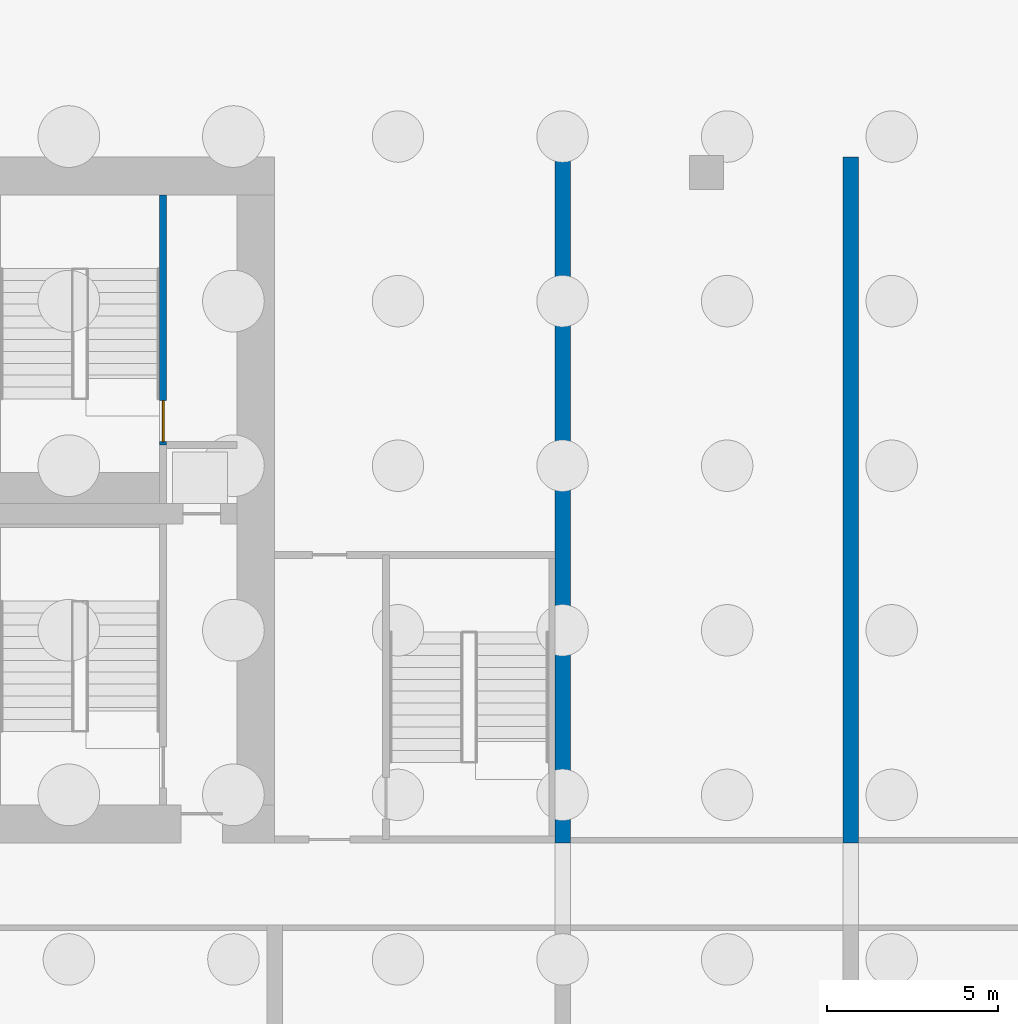
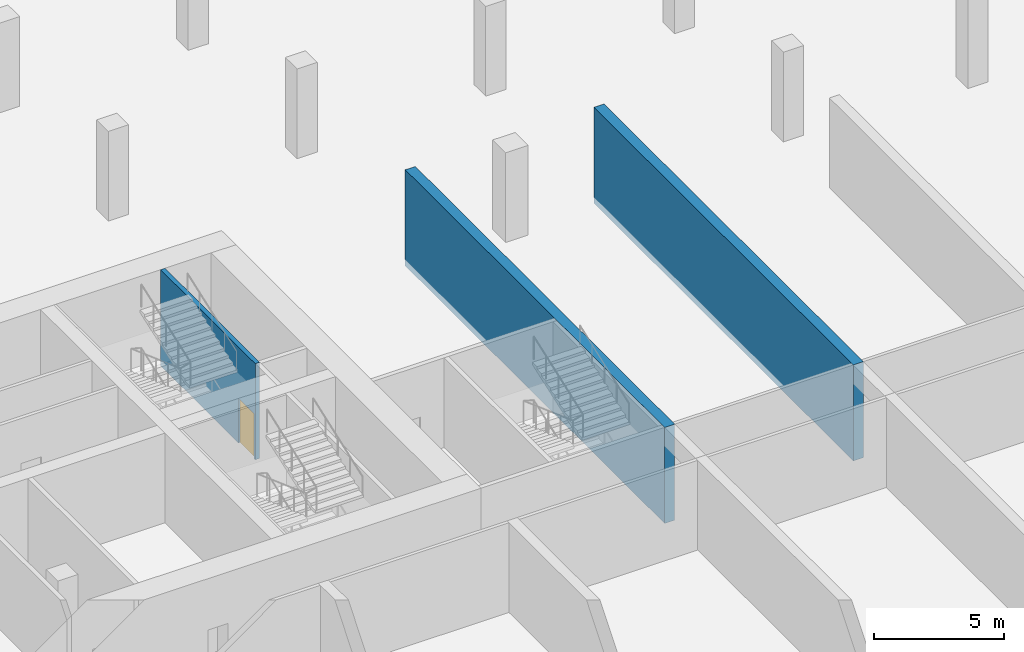
# One storey, part 10 of 17: 3 walls, 1 door, 1 opening.
"""IFC4 building model written with IfcOpenShell, lengths in metres."""

from ifc_helpers import new_model, si_unit, direction, frame, frame_2d, origin, place, context, subcontext, project, spatial, rectangle, extrude, source, transform, mapped, material, layer, layer_set, type_object, element, fill, save


model = new_model("IFC4")

# Units and contexts
model_context = context("Model", 3, precision=1e-05, world=origin(), true_north=direction((0.0, 1.0)))
body_context = subcontext(model_context, "Body", "Model", "MODEL_VIEW")
ifc_project = project(units=[si_unit("LENGTHUNIT", "METRE"), si_unit("AREAUNIT", "SQUARE_METRE"), si_unit("VOLUMEUNIT", "CUBIC_METRE"), si_unit("PLANEANGLEUNIT", "RADIAN"), si_unit("MASSUNIT", "GRAM", prefix="KILO")], contexts=[model_context])

# Site, building, storey
site_placement = place(None, origin())
site = spatial("IfcSite", under=ifc_project, at=site_placement, CompositionType="ELEMENT")
building_placement = place(site_placement, origin())
building = spatial("IfcBuilding", under=site, at=building_placement, Name="Vanashikhar Sky Hotel", CompositionType="ELEMENT")
storey_placement = place(building_placement, frame((0.0, 0.0, -13.5)))
storey = spatial("IfcBuildingStorey", under=building, at=storey_placement, Name="B3", CompositionType="ELEMENT", Elevation=-13.5)

# Walls
ifc_material_1 = material(Name="Concrete M80", Category="concrete")
ifc_layer_1 = layer(ifc_material_1, 0.449951171875)
ifc_layer_set_1 = layer_set([ifc_layer_1], Name="RC shear wall 450 Concrete M80")
wall_type_1 = type_object("IfcWallType", Name="RC shear wall 450 Concrete M80", PredefinedType="SHEAR", material=ifc_layer_set_1)
shared_shape_1 = source(origin(), body_context, "Body", "SweptSolid", [
    extrude(rectangle(XDim=20.0, YDim=0.449951171875, at=frame_2d((10.0, 0.0))), origin(), (0.0, 0.0, 1.0), 4.52001953125),
])
for number, where, z_axis, x_axis, name in (
    (1, (84.0, 22.0, -0.300048828125), (0.0, 0.0, 1.0), (0.0, 1.0, 0.0), "CW-B3-XW11-2"),
    (2, (92.39990234375, 22.0, -0.300048828125), (0.0, 0.0, 1.0), (0.0, 1.0, 0.0), "CW-B3-XW12-2"),
):
    element("IfcWall", number, at=place(storey_placement, frame(where, z_axis=z_axis, x_axis=x_axis)), inside=storey, type_object=wall_type_1, Name=name, PredefinedType="SHEAR", context=body_context, shape_type="MappedRepresentation", body=[
        mapped(shared_shape_1, transform((0.0, 0.0, 0.0), scale=1.0)),
    ])

# Wall, opening, door
ifc_material_2 = material(Name="Concrete M50", Category="concrete")
ifc_layer_2 = layer(ifc_material_2, 0.199951171875)
ifc_layer_set_2 = layer_set([ifc_layer_2], Name="Stair wall 200")
wall_type_2 = type_object("IfcWallType", Name="Stair wall 200", PredefinedType="SOLIDWALL", material=ifc_layer_set_2)
shared_shape_2 = source(origin(), body_context, "Body", "SweptSolid", [
    extrude(rectangle(XDim=7.2998046875, YDim=0.199951171875, at=frame_2d((3.64990234375, 0.0))), origin(), (0.0, 0.0, 1.0), 4.52001953125),
])
wall_placement = place(storey_placement, frame((72.35009765625, 33.60009765625, -0.300048828125), z_axis=(0.0, 0.0, 1.0), x_axis=(0.0, 1.0, 0.0)))
wall = element("IfcWall", 3, at=wall_placement, inside=storey, type_object=wall_type_2, Name="Stair wall 200", PredefinedType="SOLIDWALL", context=body_context, shape_type="MappedRepresentation", body=[
    mapped(shared_shape_2, transform((0.0, 0.0, 0.0), scale=1.0)),
])
shared_shape_3 = source(origin(), body_context, "Body", "SweptSolid", [
    extrude(rectangle(XDim=1.199951171875, YDim=2.10009765625, at=frame_2d((0.60009765625, 1.050048828125))), frame((0.0, 0.10986328125, 0.0), z_axis=(0.0, -1.0, 0.0), x_axis=(1.0, 0.0, 0.0)), (0.0, 0.0, 1.0), 0.219970703125),
])
opening_placement = place(wall_placement, frame((0.10009765625, 0.0, 0.0)))
opening = element("IfcOpeningElement", 4, at=opening_placement, cuts=wall, Name="Opening DC-1", PredefinedType="OPENING", context=body_context, shape_type="MappedRepresentation", body=[
    mapped(shared_shape_3, transform((0.0, 0.0, 0.0), scale=1.0)),
])
ifc_material_3 = material(Name="Steel", Category="steel")
door_type = type_object("IfcDoorType", Name="Stair door 1200 FD120", OperationType="NOTDEFINED", PredefinedType="DOOR", material=ifc_material_3)
shared_shape_4 = source(origin(), body_context, "Body", "SweptSolid", [
    extrude(rectangle(XDim=1.199951171875, YDim=2.10009765625, at=frame_2d((0.60009765625, 1.050048828125))), frame((0.0, 0.02490234375, 0.0), z_axis=(0.0, -1.0, 0.0), x_axis=(1.0, 0.0, 0.0)), (0.0, 0.0, 1.0), 0.050048828125),
])
door_placement = place(opening_placement, origin())
door = element("IfcDoor", 5, at=door_placement, inside=storey, type_object=door_type, Name="Stair door 1200 FD120", OperationType="SINGLE_SWING_RIGHT", OverallHeight=2.10009765625, OverallWidth=1.199951171875, PredefinedType="DOOR", context=body_context, shape_type="MappedRepresentation", body=[
    mapped(shared_shape_4, transform((0.0, 0.0, 0.0), scale=1.0)),
])
fill(opening, door)

save(model, "model.ifc")
